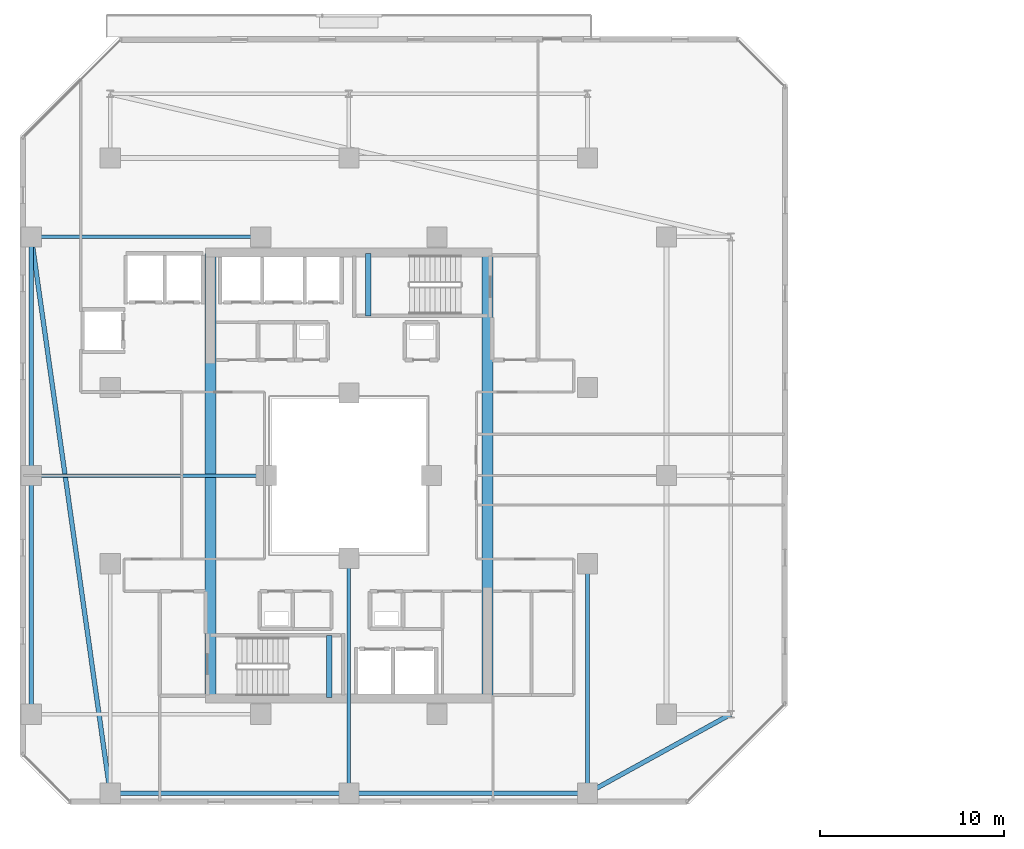
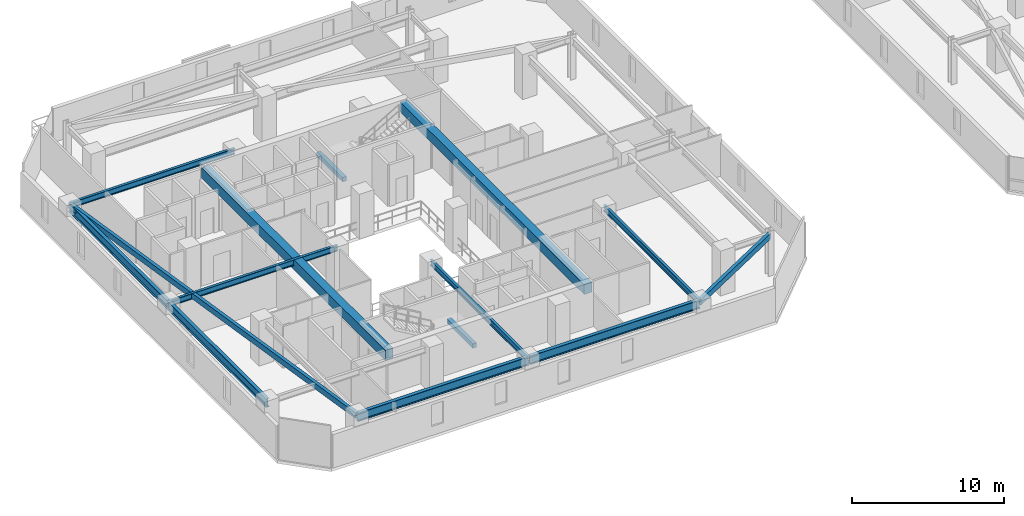
# One storey, part 4 of 33: 14 beams.
"""IFC4 building model written with IfcOpenShell, lengths in metres."""

from ifc_helpers import new_model, si_unit, direction, frame, origin, origin_2d, place, context, subcontext, project, spatial, rectangle, hollow_rectangle, i_section, extrude, material, material_profile, profile_set, type_object, element, save


model = new_model("IFC4")

# Units and contexts
model_context = context("Model", 3, precision=1e-05, world=origin(), true_north=direction((0.0, 1.0)))
body_context = subcontext(model_context, "Body", "Model", "MODEL_VIEW")
ifc_project = project(units=[si_unit("LENGTHUNIT", "METRE"), si_unit("AREAUNIT", "SQUARE_METRE"), si_unit("VOLUMEUNIT", "CUBIC_METRE"), si_unit("PLANEANGLEUNIT", "RADIAN"), si_unit("MASSUNIT", "GRAM", prefix="KILO")], contexts=[model_context])

# Site, building, storey
site_placement = place(None, origin())
site = spatial("IfcSite", under=ifc_project, at=site_placement, CompositionType="ELEMENT")
building_placement = place(site_placement, origin())
building = spatial("IfcBuilding", under=site, at=building_placement, Name="Thornwick Lancets Civic Towers", CompositionType="ELEMENT")
storey_placement = place(building_placement, frame((0.0, 0.0, 185.699951171875)))
storey = spatial("IfcBuildingStorey", under=building, at=storey_placement, Name="L49", CompositionType="ELEMENT", Elevation=185.699951171875)

# Beams
ifc_material_1 = material(Name="Concrete C60/75", Category="concrete")
ifc_material_profile_1 = material_profile(ifc_material_1, rectangle(XDim=0.60009765625, YDim=0.800048828125, at=origin_2d()), Name="RC 600x800")
ifc_profile_set_1 = profile_set([ifc_material_profile_1], Name="Concrete C60/75")
beam_type_1 = type_object("IfcBeamType", Name="BM_COUP_RC800", PredefinedType="BEAM", material=ifc_profile_set_1)
for number, where, z_axis, x_axis, name in (
    (1, (33.050048828125, 14.89990234375, 2.9599609375), (0.0, 1.0, 0.0), (-1.0, 0.0, 0.0), "CB-L49-A1"),
    (2, (17.949951171875, 14.89990234375, 2.9599609375), (0.0, 1.0, 0.0), (-1.0, 0.0, 0.0), "CB-L49-A2"),
):
    element("IfcBeam", number, at=place(storey_placement, frame(where, z_axis=z_axis, x_axis=x_axis)), inside=storey, type_object=beam_type_1, Name=name, PredefinedType="BEAM", context=body_context, shape_type="SweptSolid", body=[
        extrude(rectangle(XDim=0.60009765625, YDim=0.800048828125, at=origin_2d()), origin(), (0.0, 0.0, 1.0), 24.2001953125),
    ])
ifc_material_2 = material(Name="Steel S355JR", Category="steel")
ifc_material_profile_2 = material_profile(ifc_material_2, i_section(OverallWidth=0.255859375, OverallDepth=0.69287109375, WebThickness=0.014404296875, FlangeThickness=0.023681640625, FilletRadius=0.01513671875, at=origin_2d()), Name="UKB 686x254x170")
ifc_profile_set_2 = profile_set([ifc_material_profile_2], Name="Steel S355JR")
beam_type_2 = type_object("IfcBeamType", Name="BM_GIRD_686_170", PredefinedType="BEAM", material=ifc_profile_set_2)
beam_1_placement = place(storey_placement, frame((12.5, 9.699951171875, 3.013427734375), z_axis=(1.0, 0.0, 0.0), x_axis=(0.0, 1.0, 0.0)))
element("IfcBeam", 3, at=beam_1_placement, inside=storey, type_object=beam_type_2, Name="BM-SPINE-L49-A-0-1", PredefinedType="BEAM", context=body_context, shape_type="SweptSolid", body=[
    extrude(i_section(OverallWidth=0.255859375, OverallDepth=0.69287109375, WebThickness=0.014404296875, FlangeThickness=0.023681640625, FilletRadius=0.01513671875, at=origin_2d()), origin(), (0.0, 0.0, 1.0), 13.0),
])
beam_2_placement = place(storey_placement, frame((25.580078125, 9.699951171875, 3.013427734375), z_axis=(1.0, 0.0, 0.0), x_axis=(0.0, 1.0, 0.0)))
element("IfcBeam", 4, at=beam_2_placement, inside=storey, type_object=beam_type_2, Name="BM-SPINE-L49-A-1-2", PredefinedType="BEAM", context=body_context, shape_type="SweptSolid", body=[
    extrude(i_section(OverallWidth=0.255859375, OverallDepth=0.69287109375, WebThickness=0.014404296875, FlangeThickness=0.023681640625, FilletRadius=0.01513671875, at=origin_2d()), origin(), (0.0, 0.0, 1.0), 12.919921875),
])
beam_3_placement = place(storey_placement, frame((8.199951171875, 14.0, 3.013427734375), z_axis=(0.0, 1.0, 0.0), x_axis=(-1.0, 0.0, 0.0)))
element("IfcBeam", 5, at=beam_3_placement, inside=storey, type_object=beam_type_2, Name="BM-SPINE-L49-A-9-10", PredefinedType="BEAM", context=body_context, shape_type="SweptSolid", body=[
    extrude(i_section(OverallWidth=0.255859375, OverallDepth=0.69287109375, WebThickness=0.014404296875, FlangeThickness=0.023681640625, FilletRadius=0.01513671875, at=origin_2d()), origin(), (0.0, 0.0, 1.0), 13.0),
])
beam_4_placement = place(storey_placement, frame((8.199951171875, 27.080078125, 3.013427734375), z_axis=(0.0, 1.0, 0.0), x_axis=(-1.0, 0.0, 0.0)))
element("IfcBeam", 6, at=beam_4_placement, inside=storey, type_object=beam_type_2, Name="BM-SPINE-L49-A-10-11", PredefinedType="BEAM", context=body_context, shape_type="SweptSolid", body=[
    extrude(i_section(OverallWidth=0.255859375, OverallDepth=0.69287109375, WebThickness=0.014404296875, FlangeThickness=0.023681640625, FilletRadius=0.01513671875, at=origin_2d()), origin(), (0.0, 0.0, 1.0), 12.919921875),
])
ifc_material_profile_3 = material_profile(ifc_material_2, i_section(OverallWidth=0.19287109375, OverallDepth=0.46728515625, WebThickness=0.011474609375, FlangeThickness=0.01953125, FilletRadius=0.01025390625, at=origin_2d()), Name="UKB 457x191x98")
ifc_profile_set_3 = profile_set([ifc_material_profile_3], Name="Steel S355JR")
beam_type_3 = type_object("IfcBeamType", Name="BM_JOIST_457_98", PredefinedType="JOIST", material=ifc_profile_set_3)
beam_5_placement = place(storey_placement, frame((25.5, 22.5, 3.12646484375), z_axis=(0.0, -1.0, 0.0), x_axis=(1.0, 0.0, 0.0)))
element("IfcBeam", 7, at=beam_5_placement, inside=storey, type_object=beam_type_3, Name="BM-RADIN-L49-A02", PredefinedType="JOIST", context=body_context, shape_type="SweptSolid", body=[
    extrude(i_section(OverallWidth=0.19287109375, OverallDepth=0.46728515625, WebThickness=0.011474609375, FlangeThickness=0.01953125, FilletRadius=0.01025390625, at=origin_2d()), origin(), (0.0, 0.0, 1.0), 12.800048828125),
])
beam_6_placement = place(storey_placement, frame((38.5, 22.199951171875, 3.12646484375), z_axis=(0.0, -1.0, 0.0), x_axis=(1.0, 0.0, 0.0)))
element("IfcBeam", 8, at=beam_6_placement, inside=storey, type_object=beam_type_3, Name="BM-RADIN-L49-A03", PredefinedType="JOIST", context=body_context, shape_type="SweptSolid", body=[
    extrude(i_section(OverallWidth=0.19287109375, OverallDepth=0.46728515625, WebThickness=0.011474609375, FlangeThickness=0.01953125, FilletRadius=0.01025390625, at=origin_2d()), origin(), (0.0, 0.0, 1.0), 12.5),
])
beam_7_placement = place(storey_placement, frame((21.0, 27.0, 3.12646484375), z_axis=(-1.0, 0.0, 0.0), x_axis=(0.0, -1.0, 0.0)))
element("IfcBeam", 9, at=beam_7_placement, inside=storey, type_object=beam_type_3, Name="BM-RADIN-L49-A11", PredefinedType="JOIST", context=body_context, shape_type="SweptSolid", body=[
    extrude(i_section(OverallWidth=0.19287109375, OverallDepth=0.46728515625, WebThickness=0.011474609375, FlangeThickness=0.01953125, FilletRadius=0.01025390625, at=origin_2d()), origin(), (0.0, 0.0, 1.0), 12.800048828125),
])
beam_8_placement = place(storey_placement, frame((20.699951171875, 40.0, 3.12646484375), z_axis=(-1.0, 0.0, 0.0), x_axis=(0.0, -1.0, 0.0)))
element("IfcBeam", 10, at=beam_8_placement, inside=storey, type_object=beam_type_3, Name="BM-RADIN-L49-A12", PredefinedType="JOIST", context=body_context, shape_type="SweptSolid", body=[
    extrude(i_section(OverallWidth=0.19287109375, OverallDepth=0.46728515625, WebThickness=0.011474609375, FlangeThickness=0.01953125, FilletRadius=0.01025390625, at=origin_2d()), origin(), (0.0, 0.0, 1.0), 12.5),
])
ifc_material_profile_4 = material_profile(ifc_material_2, hollow_rectangle(XDim=0.25, YDim=0.449951171875, WallThickness=0.01611328125, at=origin_2d()), Name="RHS 450x250x16")
ifc_profile_set_4 = profile_set([ifc_material_profile_4], Name="Steel S355JR")
beam_type_4 = type_object("IfcBeamType", Name="BM_RING_RHS450", PredefinedType="BEAM", material=ifc_profile_set_4)
beam_9_placement = place(storey_placement, frame((38.5, 9.699951171875, 3.135009765625), z_axis=(0.875740348708, 0.482782395749, 0.0), x_axis=(-0.482782395749, 0.875740348708, 0.0)))
element("IfcBeam", 11, at=beam_9_placement, inside=storey, type_object=beam_type_4, Name="BM-CHAMF-L49-A-C0", PredefinedType="BEAM", context=body_context, shape_type="SweptSolid", body=[
    extrude(hollow_rectangle(XDim=0.25, YDim=0.449951171875, WallThickness=0.01611328125, at=origin_2d()), origin(), (0.0, 0.0, 1.0), 8.90673828125),
])
beam_10_placement = place(storey_placement, frame((8.199951171875, 40.0, 3.135009765625), z_axis=(0.140507712682, -0.990079584012, 0.0), x_axis=(0.990079584012, 0.140507712682, 0.0)))
element("IfcBeam", 12, at=beam_10_placement, inside=storey, type_object=beam_type_4, Name="BM-CHAMF-L49-A-C3", PredefinedType="BEAM", context=body_context, shape_type="SweptSolid", body=[
    extrude(hollow_rectangle(XDim=0.25, YDim=0.449951171875, WallThickness=0.01611328125, at=origin_2d()), origin(), (0.0, 0.0, 1.0), 30.603759765625),
])
ifc_material_3 = material(Name="Concrete C40/50", Category="concrete")
ifc_material_profile_5 = material_profile(ifc_material_3, rectangle(XDim=0.300048828125, YDim=0.35009765625, at=origin_2d()), Name="RC 300x350")
ifc_profile_set_5 = profile_set([ifc_material_profile_5], Name="Concrete C40/50")
beam_type_5 = type_object("IfcBeamType", Name="BM_STAIR_LDG", PredefinedType="BEAM", material=ifc_profile_set_5)
for number, where, z_axis, x_axis, name in (
    (13, (24.43505859375, 14.89990234375, 1.3779296875), (0.0, 1.0, 0.0), (-1.0, 0.0, 0.0), "L49 ST-A1 Landing Support Beam 1"),
    (14, (26.56494140625, 39.10009765625, 1.3779296875), (0.0, -1.0, 0.0), (1.0, 0.0, 0.0), "L49 ST-A2 Landing Support Beam 1"),
):
    element("IfcBeam", number, at=place(storey_placement, frame(where, z_axis=z_axis, x_axis=x_axis)), inside=storey, type_object=beam_type_5, Name=name, PredefinedType="BEAM", context=body_context, shape_type="SweptSolid", body=[
        extrude(rectangle(XDim=0.300048828125, YDim=0.35009765625, at=origin_2d()), origin(), (0.0, 0.0, 1.0), 3.400146484375),
    ])

save(model, "model.ifc")
